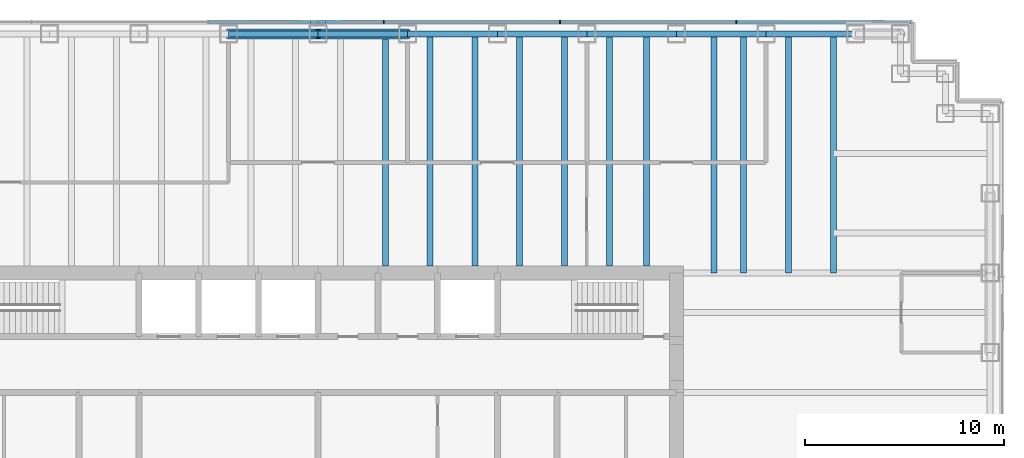
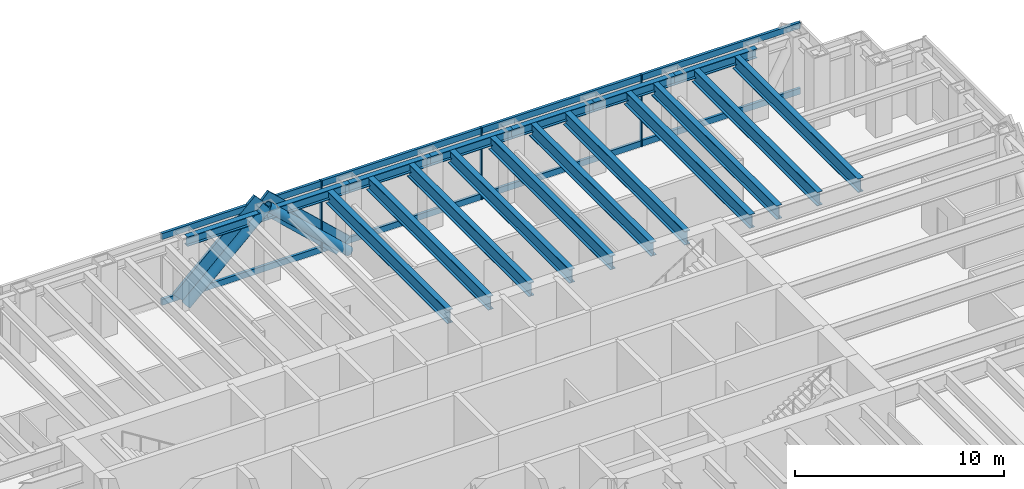
# One storey, part 7 of 17: 18 beams, 15 members, 1 element without a shape of its own.
"""IFC4 building model written with IfcOpenShell, lengths in metres."""

from ifc_helpers import new_model, si_unit, direction, frame, origin, origin_2d, place, context, subcontext, project, spatial, rectangle, hollow_circle, i_section, extrude, material, material_profile, profile_set, type_object, element, aggregate, save


model = new_model("IFC4")

# Units and contexts
model_context = context("Model", 3, precision=1e-05, world=origin(), true_north=direction((0.0, 1.0)))
body_context = subcontext(model_context, "Body", "Model", "MODEL_VIEW")
ifc_project = project(units=[si_unit("LENGTHUNIT", "METRE"), si_unit("AREAUNIT", "SQUARE_METRE"), si_unit("VOLUMEUNIT", "CUBIC_METRE"), si_unit("PLANEANGLEUNIT", "RADIAN"), si_unit("MASSUNIT", "GRAM", prefix="KILO")], contexts=[model_context])

# Site, building, storey
site_placement = place(None, origin())
site = spatial("IfcSite", under=ifc_project, at=site_placement, CompositionType="ELEMENT")
building_placement = place(site_placement, origin())
building = spatial("IfcBuilding", under=site, at=building_placement, Name="Rheinbord Bourse Tower", CompositionType="ELEMENT")
storey_placement = place(building_placement, frame((0.0, 0.0, 300.5)))
storey = spatial("IfcBuildingStorey", under=building, at=storey_placement, Name="L68", CompositionType="ELEMENT", Elevation=300.5)

# Curtain wall, members
ifc_material_1 = material(Name="Dark glass and black aluminium", Category="aluminium")
curtain_wall_type = type_object("IfcCurtainWallType", Name="CW3 DARK GLASS CURTAIN WALL", PredefinedType="USERDEFINED", material=ifc_material_1)
curtain_wall_placement = place(storey_placement, origin())
curtain_wall = element("IfcCurtainWall", 1, at=curtain_wall_placement, inside=storey, type_object=curtain_wall_type, Name="Curtain wall CW3 N L68", ObjectType="UNITISED CURTAIN WALL", PredefinedType="USERDEFINED")
ifc_material_2 = material(Name="Black anodised aluminium", Category="aluminium")
ifc_material_profile_1 = material_profile(ifc_material_2, rectangle(XDim=0.14990234375, YDim=1.10791015625, at=origin_2d()), Name="CW3 DIAGONAL MULLION 1108x150")
ifc_profile_set_1 = profile_set([ifc_material_profile_1], Name="Black anodised aluminium")
member_type_1 = type_object("IfcMemberType", Name="CW3 BLACK DIAGONAL MULLION", PredefinedType="USERDEFINED", material=ifc_profile_set_1)
member_1_placement = place(storey_placement, frame((40.5, 44.60009765625, 0.0), z_axis=(-0.73105922506, 0.0, 0.682314010889), x_axis=(0.0, -1.0, 0.0)))
member_1 = element("IfcMember", 2, at=member_1_placement, type_object=member_type_1, Name="CW3 diagonal mullion c", ObjectType="DIAGONAL MULLION", PredefinedType="USERDEFINED", context=body_context, shape_type="SweptSolid", body=[
    extrude(rectangle(XDim=0.14990234375, YDim=1.10791015625, at=origin_2d()), origin(), (0.0, 0.0, 1.0), 6.155517578125),
])
member_2_placement = place(storey_placement, frame((31.5, 44.60009765625, 0.0), z_axis=(0.73105922506, 0.0, 0.682314010889), x_axis=(0.0, 1.0, 0.0)))
member_2 = element("IfcMember", 3, at=member_2_placement, type_object=member_type_1, Name="CW3 diagonal mullion d", ObjectType="DIAGONAL MULLION", PredefinedType="USERDEFINED", context=body_context, shape_type="SweptSolid", body=[
    extrude(rectangle(XDim=0.14990234375, YDim=1.10791015625, at=origin_2d()), origin(), (0.0, 0.0, 1.0), 6.155517578125),
])
ifc_material_3 = material(Name="Black anodised aluminium", Category="aluminium")
ifc_material_profile_2 = material_profile(ifc_material_3, rectangle(XDim=0.199951171875, YDim=0.06494140625, at=origin_2d()), Name="CW3 MULLION 65x200")
ifc_profile_set_2 = profile_set([ifc_material_profile_2], Name="Black anodised aluminium")
member_type_2 = type_object("IfcMemberType", Name="CW3 BLACK MULLION", PredefinedType="MULLION", material=ifc_profile_set_2)
member_3_placement = place(storey_placement, frame((57.0, 44.60009765625, 0.0), z_axis=(0.0, 0.0, 1.0), x_axis=(0.0, -1.0, 0.0)))
member_3 = element("IfcMember", 4, at=member_3_placement, type_object=member_type_2, Name="CW3 mullion 2", PredefinedType="MULLION", context=body_context, shape_type="SweptSolid", body=[
    extrude(rectangle(XDim=0.199951171875, YDim=0.06494140625, at=origin_2d()), origin(), (0.0, 0.0, 1.0), 4.199951171875),
])
member_4_placement = place(storey_placement, frame((48.14990234375, 44.60009765625, 0.0), z_axis=(0.0, 0.0, 1.0), x_axis=(0.0, -1.0, 0.0)))
member_4 = element("IfcMember", 5, at=member_4_placement, type_object=member_type_2, Name="CW3 mullion 3", PredefinedType="MULLION", context=body_context, shape_type="SweptSolid", body=[
    extrude(rectangle(XDim=0.199951171875, YDim=0.06494140625, at=origin_2d()), origin(), (0.0, 0.0, 1.0), 4.199951171875),
])
member_5_placement = place(storey_placement, frame((39.300048828125, 44.60009765625, 0.0), z_axis=(0.0, 0.0, 1.0), x_axis=(0.0, -1.0, 0.0)))
member_5 = element("IfcMember", 6, at=member_5_placement, type_object=member_type_2, Name="CW3 mullion 4", PredefinedType="MULLION", context=body_context, shape_type="SweptSolid", body=[
    extrude(rectangle(XDim=0.199951171875, YDim=0.06494140625, at=origin_2d()), origin(), (0.0, 0.0, 1.0), 4.199951171875),
])
ifc_material_4 = material(Name="Black anodised aluminium", Category="aluminium")
ifc_material_profile_3 = material_profile(ifc_material_4, rectangle(XDim=0.14990234375, YDim=0.35009765625, at=origin_2d()), Name="CW3 TRANSOM 350x150")
ifc_profile_set_3 = profile_set([ifc_material_profile_3], Name="Black anodised aluminium")
member_type_3 = type_object("IfcMemberType", Name="CW3 BLACK TRANSOM", PredefinedType="USERDEFINED", material=ifc_profile_set_3)
member_6_placement = place(storey_placement, frame((65.784912109375, 44.60009765625, 0.175048828125), z_axis=(-1.0, 0.0, 0.0), x_axis=(0.0, -1.0, 0.0)))
member_6 = element("IfcMember", 7, at=member_6_placement, type_object=member_type_3, Name="CW3 transom 1.1", ObjectType="TRANSOM", PredefinedType="USERDEFINED", context=body_context, shape_type="SweptSolid", body=[
    extrude(rectangle(XDim=0.14990234375, YDim=0.35009765625, at=origin_2d()), origin(), (0.0, 0.0, 1.0), 8.75244140625),
])
member_7_placement = place(storey_placement, frame((65.784912109375, 44.60009765625, 4.02490234375), z_axis=(-1.0, 0.0, 0.0), x_axis=(0.0, -1.0, 0.0)))
member_7 = element("IfcMember", 8, at=member_7_placement, type_object=member_type_3, Name="CW3 transom 1.2", ObjectType="TRANSOM", PredefinedType="USERDEFINED", context=body_context, shape_type="SweptSolid", body=[
    extrude(rectangle(XDim=0.14990234375, YDim=0.35009765625, at=origin_2d()), origin(), (0.0, 0.0, 1.0), 8.75244140625),
])
member_8_placement = place(storey_placement, frame((56.967529296875, 44.60009765625, 0.175048828125), z_axis=(-1.0, 0.0, 0.0), x_axis=(0.0, -1.0, 0.0)))
member_8 = element("IfcMember", 9, at=member_8_placement, type_object=member_type_3, Name="CW3 transom 2.1", ObjectType="TRANSOM", PredefinedType="USERDEFINED", context=body_context, shape_type="SweptSolid", body=[
    extrude(rectangle(XDim=0.14990234375, YDim=0.35009765625, at=origin_2d()), origin(), (0.0, 0.0, 1.0), 8.784912109375),
])
member_9_placement = place(storey_placement, frame((56.967529296875, 44.60009765625, 4.02490234375), z_axis=(-1.0, 0.0, 0.0), x_axis=(0.0, -1.0, 0.0)))
member_9 = element("IfcMember", 10, at=member_9_placement, type_object=member_type_3, Name="CW3 transom 2.2", ObjectType="TRANSOM", PredefinedType="USERDEFINED", context=body_context, shape_type="SweptSolid", body=[
    extrude(rectangle(XDim=0.14990234375, YDim=0.35009765625, at=origin_2d()), origin(), (0.0, 0.0, 1.0), 8.784912109375),
])
member_10_placement = place(storey_placement, frame((48.117431640625, 44.60009765625, 0.175048828125), z_axis=(-1.0, 0.0, 0.0), x_axis=(0.0, -1.0, 0.0)))
member_10 = element("IfcMember", 11, at=member_10_placement, type_object=member_type_3, Name="CW3 transom 3.1", ObjectType="TRANSOM", PredefinedType="USERDEFINED", context=body_context, shape_type="SweptSolid", body=[
    extrude(rectangle(XDim=0.14990234375, YDim=0.35009765625, at=origin_2d()), origin(), (0.0, 0.0, 1.0), 8.784912109375),
])
member_11_placement = place(storey_placement, frame((48.117431640625, 44.60009765625, 4.02490234375), z_axis=(-1.0, 0.0, 0.0), x_axis=(0.0, -1.0, 0.0)))
member_11 = element("IfcMember", 12, at=member_11_placement, type_object=member_type_3, Name="CW3 transom 3.2", ObjectType="TRANSOM", PredefinedType="USERDEFINED", context=body_context, shape_type="SweptSolid", body=[
    extrude(rectangle(XDim=0.14990234375, YDim=0.35009765625, at=origin_2d()), origin(), (0.0, 0.0, 1.0), 8.784912109375),
])
member_12_placement = place(storey_placement, frame((39.267578125, 44.60009765625, 0.175048828125), z_axis=(-1.0, 0.0, 0.0), x_axis=(0.0, -1.0, 0.0)))
member_12 = element("IfcMember", 13, at=member_12_placement, type_object=member_type_3, Name="CW3 transom 4.1", ObjectType="TRANSOM", PredefinedType="USERDEFINED", context=body_context, shape_type="SweptSolid", body=[
    extrude(rectangle(XDim=0.14990234375, YDim=0.35009765625, at=origin_2d()), origin(), (0.0, 0.0, 1.0), 8.78515625),
])
member_13_placement = place(storey_placement, frame((39.267578125, 44.60009765625, 4.02490234375), z_axis=(-1.0, 0.0, 0.0), x_axis=(0.0, -1.0, 0.0)))
member_13 = element("IfcMember", 14, at=member_13_placement, type_object=member_type_3, Name="CW3 transom 4.2", ObjectType="TRANSOM", PredefinedType="USERDEFINED", context=body_context, shape_type="SweptSolid", body=[
    extrude(rectangle(XDim=0.14990234375, YDim=0.35009765625, at=origin_2d()), origin(), (0.0, 0.0, 1.0), 8.78515625),
])
aggregate(curtain_wall, [member_3, member_4, member_5, member_6, member_7, member_8, member_9, member_10, member_11, member_12, member_13, member_1, member_2])

# Beams
ifc_material_5 = material(Name="Steel S460", Category="steel")
ifc_material_profile_4 = material_profile(ifc_material_5, i_section(OverallWidth=0.300048828125, OverallDepth=0.800048828125, WebThickness=0.017578125, FlangeThickness=0.032958984375, at=origin_2d()), Name="HEB 800")
ifc_profile_set_4 = profile_set([ifc_material_profile_4], Name="Steel S460")
beam_type_1 = type_object("IfcBeamType", Name="FLOOR BEAM HEB 800", PredefinedType="BEAM", material=ifc_profile_set_4)
for number, where, z_axis, x_axis, name in (
    (15, (39.375, 44.0, 3.639892578125), (0.0, -1.0, 0.0), (1.0, 0.0, 0.0), "Floor beam N-36b L69"),
    (16, (41.625, 44.0, 3.639892578125), (0.0, -1.0, 0.0), (1.0, 0.0, 0.0), "Floor beam N-40.5a L69"),
    (17, (43.875, 44.0, 3.639892578125), (0.0, -1.0, 0.0), (1.0, 0.0, 0.0), "Floor beam N-40.5b L69"),
    (18, (46.125, 44.0, 3.639892578125), (0.0, -1.0, 0.0), (1.0, 0.0, 0.0), "Floor beam N-45a L69"),
    (19, (48.375, 44.0, 3.639892578125), (0.0, -1.0, 0.0), (1.0, 0.0, 0.0), "Floor beam N-45b L69"),
    (20, (50.625, 44.0, 3.639892578125), (0.0, -1.0, 0.0), (1.0, 0.0, 0.0), "Floor beam N-49.5a L69"),
    (21, (52.5, 44.0, 3.639892578125), (0.0, -1.0, 0.0), (1.0, 0.0, 0.0), "Floor beam N-49.5b L69"),
):
    element("IfcBeam", number, at=place(storey_placement, frame(where, z_axis=z_axis, x_axis=x_axis)), inside=storey, type_object=beam_type_1, Name=name, PredefinedType="BEAM", context=body_context, shape_type="SweptSolid", body=[
        extrude(i_section(OverallWidth=0.300048828125, OverallDepth=0.800048828125, WebThickness=0.017578125, FlangeThickness=0.032958984375, at=origin_2d()), origin(), (0.0, 0.0, 1.0), 11.64990234375),
    ])
for number, where, z_axis, x_axis, name in (
    (22, (55.875, 44.0, 3.639892578125), (0.0, -1.0, 0.0), (1.0, 0.0, 0.0), "Floor beam N-54a L69"),
    (23, (57.375, 44.0, 3.639892578125), (0.0, -1.0, 0.0), (1.0, 0.0, 0.0), "Floor beam N-54b L69"),
    (24, (59.625, 44.0, 3.639892578125), (0.0, -1.0, 0.0), (1.0, 0.0, 0.0), "Floor beam N-58.5a L69"),
    (25, (61.875, 44.0, 3.639892578125), (0.0, -1.0, 0.0), (1.0, 0.0, 0.0), "Floor beam N-58.5b L69"),
):
    element("IfcBeam", number, at=place(storey_placement, frame(where, z_axis=z_axis, x_axis=x_axis)), inside=storey, type_object=beam_type_1, Name=name, PredefinedType="BEAM", context=body_context, shape_type="SweptSolid", body=[
        extrude(i_section(OverallWidth=0.300048828125, OverallDepth=0.800048828125, WebThickness=0.017578125, FlangeThickness=0.032958984375, at=origin_2d()), origin(), (0.0, 0.0, 1.0), 12.0),
    ])

# Members
ifc_material_6 = material(Name="Steel S460", Category="steel")
ifc_material_profile_5 = material_profile(ifc_material_6, hollow_circle(Radius=0.25390625, WallThickness=0.030029296875, at=origin_2d()), Name="CHS 508x30")
ifc_profile_set_5 = profile_set([ifc_material_profile_5], Name="Steel S460")
member_type_4 = type_object("IfcMemberType", Name="MEGABRACE CHS 508x30", PredefinedType="BRACE", material=ifc_profile_set_5)
for number, where, z_axis, x_axis, name in (
    (26, (40.5, 44.0, 0.0), (-0.73105922506, 0.0, 0.682314010889), (0.0, -1.0, 0.0), "Megabrace N face line c L68"),
    (27, (31.5, 44.0, 0.0), (0.73105922506, 0.0, 0.682314010889), (0.0, 1.0, 0.0), "Megabrace N face line d L68"),
):
    element("IfcMember", number, at=place(storey_placement, frame(where, z_axis=z_axis, x_axis=x_axis)), inside=storey, type_object=member_type_4, Name=name, PredefinedType="BRACE", context=body_context, shape_type="SweptSolid", body=[
        extrude(hollow_circle(Radius=0.25390625, WallThickness=0.030029296875, at=origin_2d()), origin(), (0.0, 0.0, 1.0), 6.155517578125),
    ])

# Beams
ifc_material_7 = material(Name="Steel S460", Category="steel")
ifc_material_profile_6 = material_profile(ifc_material_7, i_section(OverallWidth=0.300048828125, OverallDepth=0.550048828125, WebThickness=0.014892578125, FlangeThickness=0.029052734375, at=origin_2d()), Name="HEB 550")
ifc_profile_set_6 = profile_set([ifc_material_profile_6], Name="Steel S460")
beam_type_2 = type_object("IfcBeamType", Name="SPANDREL HEB 550", PredefinedType="SPANDREL", material=ifc_profile_set_6)
for number, where, z_axis, x_axis, name in (
    (28, (63.0, 44.0, 3.764892578125), (-1.0, 0.0, 0.0), (0.0, -1.0, 0.0), "Spandrel N-63-N-58.5 under L69"),
    (29, (58.5, 44.0, 3.764892578125), (-1.0, 0.0, 0.0), (0.0, -1.0, 0.0), "Spandrel N-58.5-N-54 under L69"),
    (30, (54.0, 44.0, 3.764892578125), (-1.0, 0.0, 0.0), (0.0, -1.0, 0.0), "Spandrel N-54-N-49.5 under L69"),
    (31, (49.5, 44.0, 3.764892578125), (-1.0, 0.0, 0.0), (0.0, -1.0, 0.0), "Spandrel N-49.5-N-45 under L69"),
    (32, (45.0, 44.0, 3.764892578125), (-1.0, 0.0, 0.0), (0.0, -1.0, 0.0), "Spandrel N-45-N-40.5 under L69"),
    (33, (40.5, 44.0, 3.764892578125), (-1.0, 0.0, 0.0), (0.0, -1.0, 0.0), "Spandrel N-40.5-N-36 under L69"),
    (34, (36.0, 44.0, 3.764892578125), (-1.0, 0.0, 0.0), (0.0, -1.0, 0.0), "Spandrel N-36-N-31.5 under L69"),
):
    element("IfcBeam", number, at=place(storey_placement, frame(where, z_axis=z_axis, x_axis=x_axis)), inside=storey, type_object=beam_type_2, Name=name, PredefinedType="SPANDREL", context=body_context, shape_type="SweptSolid", body=[
        extrude(i_section(OverallWidth=0.300048828125, OverallDepth=0.550048828125, WebThickness=0.014892578125, FlangeThickness=0.029052734375, at=origin_2d()), origin(), (0.0, 0.0, 1.0), 4.5),
    ])

save(model, "model.ifc")
